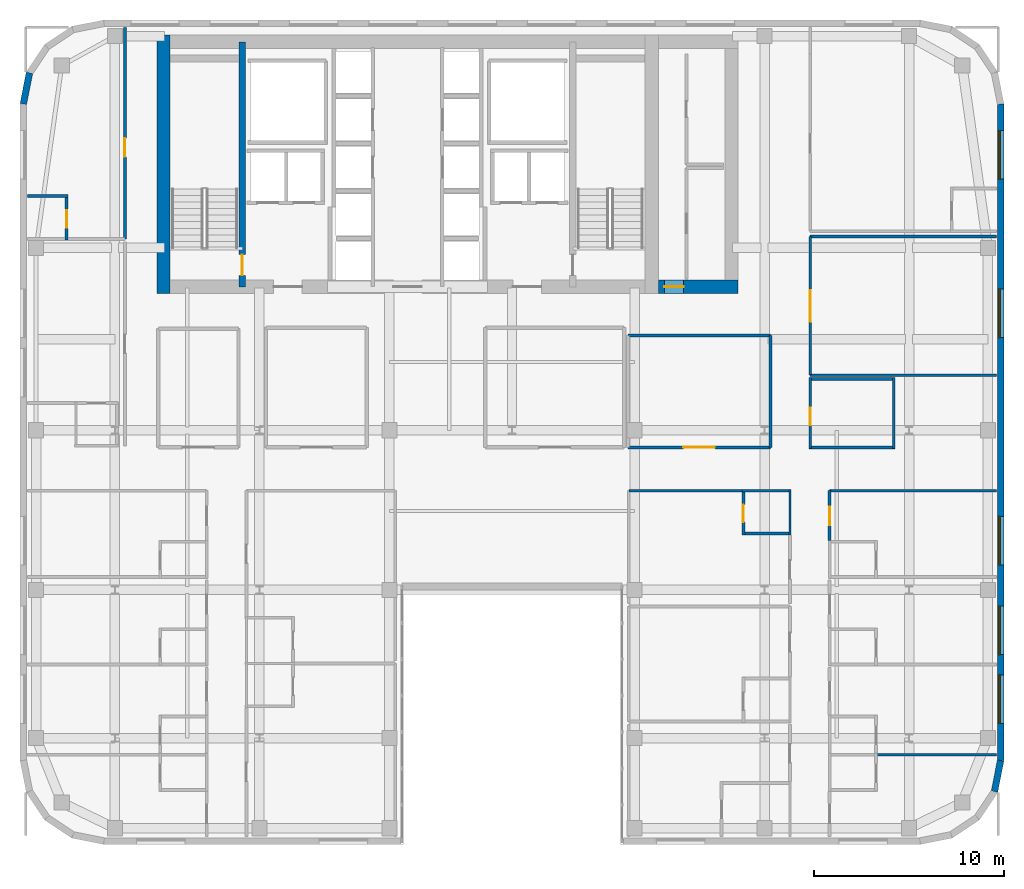
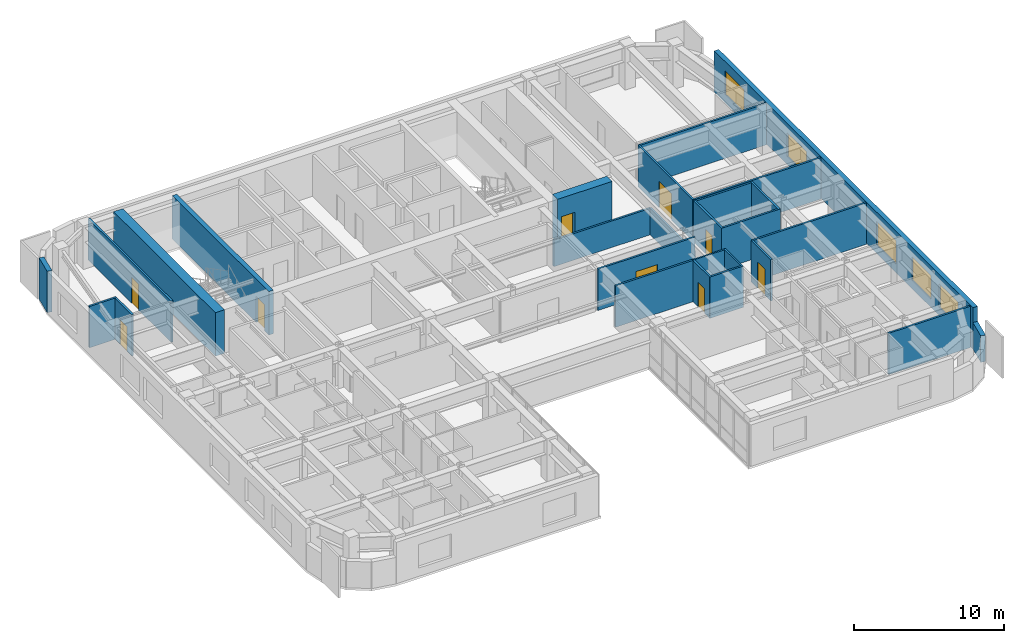
# One storey, part 10 of 14: 27 walls, 9 doors, 5 windows, 14 openings.
"""IFC4 building model written with IfcOpenShell, lengths in metres."""

from ifc_helpers import new_model, si_unit, direction, frame, frame_2d, origin, place, context, subcontext, project, spatial, rectangle, extrude, source, transform, mapped, material, layer, layer_set, type_object, type_shapes, element, fill, save


model = new_model("IFC4")

# Units and contexts
model_context = context("Model", 3, precision=1e-05, world=origin(), true_north=direction((0.0, 1.0)))
body_context = subcontext(model_context, "Body", "Model", "MODEL_VIEW")
ifc_project = project(units=[si_unit("LENGTHUNIT", "METRE"), si_unit("AREAUNIT", "SQUARE_METRE"), si_unit("VOLUMEUNIT", "CUBIC_METRE"), si_unit("PLANEANGLEUNIT", "RADIAN"), si_unit("MASSUNIT", "GRAM", prefix="KILO")], contexts=[model_context])

# Site, building, storey
site_placement = place(None, origin())
site = spatial("IfcSite", under=ifc_project, at=site_placement, CompositionType="ELEMENT")
building_placement = place(site_placement, origin())
building = spatial("IfcBuilding", under=site, at=building_placement, Name="Tolvann Quenvar Hotel", CompositionType="ELEMENT")
storey_placement = place(building_placement, frame((0.0, 0.0, 150.60009765625)))
storey = spatial("IfcBuildingStorey", under=building, at=storey_placement, Name="L39", CompositionType="ELEMENT", Elevation=150.60009765625)

# Wall
ifc_material_1 = material(Name="Concrete S65 (65 MPa)", Category="concrete")
ifc_layer_1 = layer(ifc_material_1, 0.699951171875)
ifc_layer_set_1 = layer_set([ifc_layer_1], Name="Concrete S65 (65 MPa)")
wall_type_1 = type_object("IfcWallType", Name="WALL_CORE_700", PredefinedType="SHEAR", material=ifc_layer_set_1)
wall_1_placement = place(storey_placement, frame((10.14990234375, 31.60009765625, 0.0), z_axis=(0.0, 0.0, 1.0), x_axis=(0.0, 1.0, 0.0)))
element("IfcWall", 1, at=wall_1_placement, inside=storey, type_object=wall_type_1, Name="Rear Core W Shear Wall (L39)", PredefinedType="SHEAR", context=body_context, shape_type="SweptSolid", body=[
    extrude(rectangle(XDim=13.599853515625, YDim=0.699951171875, at=frame_2d((6.7998046875, 0.0))), origin(), (0.0, 0.0, 1.0), 3.5498046875),
])

# Wall, opening, door
wall_2_placement = place(storey_placement, frame((36.199951171875, 31.949951171875, 0.0), z_axis=(0.0, 0.0, 1.0), x_axis=(1.0, 0.0, 0.0)))
wall_2 = element("IfcWall", 2, at=wall_2_placement, inside=storey, type_object=wall_type_1, Name="Core East Annex Shear Wall ANN-S (L39)", PredefinedType="SHEAR", context=body_context, shape_type="SweptSolid", body=[
    extrude(rectangle(XDim=4.199951171875, YDim=0.699951171875, at=frame_2d((2.10009765625, 0.0))), origin(), (0.0, 0.0, 1.0), 3.5498046875),
])
opening_1_placement = place(wall_2_placement, frame((1.340087890625, 0.0, 0.0), z_axis=(0.0, 0.0, 1.0), x_axis=(-1.0, 0.0, 0.0)))
opening_1 = element("IfcOpeningElement", 3, at=opening_1_placement, cuts=wall_2, Name="Opening HD-01", PredefinedType="OPENING", context=body_context, shape_type="SweptSolid", body=[
    extrude(rectangle(XDim=1.02001953125, YDim=2.030029296875, at=frame_2d((0.510009765625, 1.01513671875))), frame((0.0, 0.35986328125, 0.0), z_axis=(0.0, -1.0, 0.0), x_axis=(1.0, 0.0, 0.0)), (0.0, 0.0, 1.0), 0.719970703125),
])
ifc_material_2 = material(Name="Pressed galvanised steel fire-rated door set", Category="steel")
door_type_1 = type_object("IfcDoorType", Name="DOOR_BOH_1020", OperationType="NOTDEFINED", PredefinedType="DOOR", material=ifc_material_2)
shared_shape_1 = source(origin(), body_context, "Body", "SweptSolid", [
    extrude(rectangle(XDim=1.02001953125, YDim=2.030029296875, at=frame_2d((0.510009765625, 1.01513671875))), frame((0.0, 0.02490234375, 0.0), z_axis=(0.0, -1.0, 0.0), x_axis=(1.0, 0.0, 0.0)), (0.0, 0.0, 1.0), 0.050048828125),
])
type_shapes(door_type_1, [shared_shape_1])
door_1_placement = place(opening_1_placement, origin())
door_1 = element("IfcDoor", 4, at=door_1_placement, inside=storey, type_object=door_type_1, Name="Housekeeping Annex Fire Door (L39)", OperationType="SINGLE_SWING_RIGHT", OverallHeight=2.030029296875, OverallWidth=1.02001953125, PredefinedType="DOOR", context=body_context, shape_type="MappedRepresentation", body=[
    mapped(shared_shape_1, transform((0.0, 0.0, 0.0), x_axis=(1.0, 0.0, 0.0), y_axis=(0.0, 1.0, 0.0), z_axis=(0.0, 0.0, 1.0), scale=1.0)),
])
fill(opening_1, door_1)

ifc_layer_2 = layer(ifc_material_1, 0.35009765625)
ifc_layer_set_2 = layer_set([ifc_layer_2], Name="Concrete S65 (65 MPa)")
wall_type_2 = type_object("IfcWallType", Name="WALL_CORE_INT_350", PredefinedType="SHEAR", material=ifc_layer_set_2)
wall_3_placement = place(storey_placement, frame((14.300048828125, 31.949951171875, 0.0), z_axis=(0.0, 0.0, 1.0), x_axis=(0.0, 1.0, 0.0)))
wall_3 = element("IfcWall", 5, at=wall_3_placement, inside=storey, type_object=wall_type_2, Name="Core Internal Web Shear Wall WEB-W (L39)", PredefinedType="SHEAR", context=body_context, shape_type="SweptSolid", body=[
    extrude(rectangle(XDim=12.900146484375, YDim=0.35009765625, at=frame_2d((6.4501953125, 0.0))), origin(), (0.0, 0.0, 1.0), 3.5498046875),
])
opening_2_placement = place(wall_3_placement, frame((0.60009765625, 0.0, 0.0)))
opening_2 = element("IfcOpeningElement", 6, at=opening_2_placement, cuts=wall_3, Name="Opening FD-120", PredefinedType="OPENING", context=body_context, shape_type="SweptSolid", body=[
    extrude(rectangle(XDim=1.10009765625, YDim=2.1201171875, at=frame_2d((0.550048828125, 1.06005859375))), frame((0.0, 0.18505859375, 0.0), z_axis=(0.0, -1.0, 0.0), x_axis=(1.0, 0.0, 0.0)), (0.0, 0.0, 1.0), 0.3701171875),
])
door_type_2 = type_object("IfcDoorType", Name="DOOR_FIRE_STAIR_1100", OperationType="NOTDEFINED", PredefinedType="DOOR", material=ifc_material_2)
shared_shape_2 = source(origin(), body_context, "Body", "SweptSolid", [
    extrude(rectangle(XDim=1.10009765625, YDim=2.1201171875, at=frame_2d((0.550048828125, 1.06005859375))), frame((0.0, 0.02490234375, 0.0), z_axis=(0.0, -1.0, 0.0), x_axis=(1.0, 0.0, 0.0)), (0.0, 0.0, 1.0), 0.050048828125),
])
type_shapes(door_type_2, [shared_shape_2])
door_2_placement = place(opening_2_placement, origin())
door_2 = element("IfcDoor", 7, at=door_2_placement, inside=storey, type_object=door_type_2, Name="Exit Stair ST-C1 Fire Door (L39)", OperationType="SINGLE_SWING_RIGHT", OverallHeight=2.1201171875, OverallWidth=1.10009765625, PredefinedType="DOOR", context=body_context, shape_type="MappedRepresentation", body=[
    mapped(shared_shape_2, transform((0.0, 0.0, 0.0), x_axis=(1.0, 0.0, 0.0), y_axis=(0.0, 1.0, 0.0), z_axis=(0.0, 0.0, 1.0), scale=1.0)),
])
fill(opening_2, door_2)

# Wall
ifc_material_3 = material(Name="Kiln-fired red and buff architectural clay brickwork and terracotta masonry", Category="masonry")
ifc_layer_3 = layer(ifc_material_3, 0.35009765625)
ifc_layer_set_3 = layer_set([ifc_layer_3], Name="Kiln-fired red and buff architectural clay brickwork and terracotta masonry")
wall_type_3 = type_object("IfcWallType", Name="WALL_EXT_BRICK_350", PredefinedType="SOLIDWALL", material=ifc_layer_set_3)
wall_4_placement = place(storey_placement, frame((53.900390625, 5.384521484375, 0.0), z_axis=(0.0, 0.0, 1.0), x_axis=(0.195072403631, 0.980788844421, 0.0)))
element("IfcWall", 8, at=wall_4_placement, inside=storey, type_object=wall_type_3, Name="Exterior Chicago Brick Wall L39-E12", PredefinedType="SOLIDWALL", context=body_context, shape_type="SweptSolid", body=[
    extrude(rectangle(XDim=1.66455078125, YDim=0.35009765625, at=frame_2d((0.832275390625, 0.0))), origin(), (0.0, 0.0, 1.0), 2.159912109375),
])

# Wall, openings, windows
wall_5_placement = place(storey_placement, frame((54.22509765625, 7.01708984375, 0.0), z_axis=(0.0, 0.0, 1.0), x_axis=(0.0, 1.0, 0.0)))
wall_5 = element("IfcWall", 9, at=wall_5_placement, inside=storey, type_object=wall_type_3, Name="Exterior Chicago Brick Wall L39-E13", PredefinedType="SOLIDWALL", context=body_context, shape_type="SweptSolid", body=[
    extrude(rectangle(XDim=34.565673828125, YDim=0.35009765625, at=frame_2d((17.28271484375, 0.0))), origin(), (0.0, 0.0, 1.0), 3.369873046875),
])
opening_3_placement = place(wall_5_placement, frame((1.9599609375, 0.0, 0.679931640625)))
opening_3 = element("IfcOpeningElement", 10, at=opening_3_placement, cuts=wall_5, Name="Opening W-09", PredefinedType="OPENING", context=body_context, shape_type="SweptSolid", body=[
    extrude(rectangle(XDim=2.550048828125, YDim=1.919921875, at=frame_2d((1.27490234375, 0.9599609375))), frame((0.0, 0.18505859375, 0.0), z_axis=(0.0, -1.0, 0.0), x_axis=(1.0, 0.0, 0.0)), (0.0, 0.0, 1.0), 0.3701171875),
])
opening_4_placement = place(wall_5_placement, frame((5.5810546875, 0.0, 0.679931640625)))
opening_4 = element("IfcOpeningElement", 11, at=opening_4_placement, cuts=wall_5, Name="Opening W-09", PredefinedType="OPENING", context=body_context, shape_type="SweptSolid", body=[
    extrude(rectangle(XDim=2.550048828125, YDim=1.919921875, at=frame_2d((1.27490234375, 0.9599609375))), frame((0.0, 0.18505859375, 0.0), z_axis=(0.0, -1.0, 0.0), x_axis=(1.0, 0.0, 0.0)), (0.0, 0.0, 1.0), 0.3701171875),
])
opening_5_placement = place(wall_5_placement, frame((10.302001953125, 0.0, 0.679931640625)))
opening_5 = element("IfcOpeningElement", 12, at=opening_5_placement, cuts=wall_5, Name="Opening W-09", PredefinedType="OPENING", context=body_context, shape_type="SweptSolid", body=[
    extrude(rectangle(XDim=2.550048828125, YDim=1.919921875, at=frame_2d((1.27490234375, 0.9599609375))), frame((0.0, 0.18505859375, 0.0), z_axis=(0.0, -1.0, 0.0), x_axis=(1.0, 0.0, 0.0)), (0.0, 0.0, 1.0), 0.3701171875),
])
opening_6_placement = place(wall_5_placement, frame((22.263916015625, 0.0, 0.679931640625)))
opening_6 = element("IfcOpeningElement", 13, at=opening_6_placement, cuts=wall_5, Name="Opening W-09", PredefinedType="OPENING", context=body_context, shape_type="SweptSolid", body=[
    extrude(rectangle(XDim=2.550048828125, YDim=1.919921875, at=frame_2d((1.27490234375, 0.9599609375))), frame((0.0, 0.18505859375, 0.0), z_axis=(0.0, -1.0, 0.0), x_axis=(1.0, 0.0, 0.0)), (0.0, 0.0, 1.0), 0.3701171875),
])
opening_7_placement = place(wall_5_placement, frame((30.60498046875, 0.0, 0.679931640625)))
opening_7 = element("IfcOpeningElement", 14, at=opening_7_placement, cuts=wall_5, Name="Opening W-09", PredefinedType="OPENING", context=body_context, shape_type="SweptSolid", body=[
    extrude(rectangle(XDim=2.550048828125, YDim=1.919921875, at=frame_2d((1.27490234375, 0.9599609375))), frame((0.0, 0.18505859375, 0.0), z_axis=(0.0, -1.0, 0.0), x_axis=(1.0, 0.0, 0.0)), (0.0, 0.0, 1.0), 0.3701171875),
])
ifc_material_4 = material(Name="Thermally broken bronze-anodised aluminium frame with double low-E glazing", Category="aluminium")
window_type = type_object("IfcWindowType", Name="WIN_LNG_2550x1950", PartitioningType="TRIPLE_PANEL_HORIZONTAL", PredefinedType="WINDOW", material=ifc_material_4)
shared_shape_3 = source(origin(), body_context, "Body", "SweptSolid", [
    extrude(rectangle(XDim=2.550048828125, YDim=1.919921875, at=frame_2d((1.27490234375, 0.9599609375))), frame((0.0, 0.090087890625, 0.0), z_axis=(0.0, -1.0, 0.0), x_axis=(1.0, 0.0, 0.0)), (0.0, 0.0, 1.0), 0.06005859375),
])
type_shapes(window_type, [shared_shape_3])
window_1_placement = place(opening_3_placement, origin())
window_1 = element("IfcWindow", 15, at=window_1_placement, inside=storey, type_object=window_type, Name="Chicago Window W-09 (EW-L39-E13-W01)", OverallHeight=1.919921875, OverallWidth=2.550048828125, PartitioningType="TRIPLE_PANEL_HORIZONTAL", PredefinedType="WINDOW", context=body_context, shape_type="MappedRepresentation", body=[
    mapped(shared_shape_3, transform((0.0, 0.0, 0.0), x_axis=(1.0, 0.0, 0.0), y_axis=(0.0, 1.0, 0.0), z_axis=(0.0, 0.0, 1.0), scale=1.0)),
])
fill(opening_3, window_1)
window_2_placement = place(opening_4_placement, origin())
window_2 = element("IfcWindow", 16, at=window_2_placement, inside=storey, type_object=window_type, Name="Chicago Window W-09 (EW-L39-E13-W02)", OverallHeight=1.919921875, OverallWidth=2.550048828125, PartitioningType="TRIPLE_PANEL_HORIZONTAL", PredefinedType="WINDOW", context=body_context, shape_type="MappedRepresentation", body=[
    mapped(shared_shape_3, transform((0.0, 0.0, 0.0), x_axis=(1.0, 0.0, 0.0), y_axis=(0.0, 1.0, 0.0), z_axis=(0.0, 0.0, 1.0), scale=1.0)),
])
fill(opening_4, window_2)
window_3_placement = place(opening_5_placement, origin())
window_3 = element("IfcWindow", 17, at=window_3_placement, inside=storey, type_object=window_type, Name="Chicago Window W-09 (EW-L39-E13-W03)", OverallHeight=1.919921875, OverallWidth=2.550048828125, PartitioningType="TRIPLE_PANEL_HORIZONTAL", PredefinedType="WINDOW", context=body_context, shape_type="MappedRepresentation", body=[
    mapped(shared_shape_3, transform((0.0, 0.0, 0.0), x_axis=(1.0, 0.0, 0.0), y_axis=(0.0, 1.0, 0.0), z_axis=(0.0, 0.0, 1.0), scale=1.0)),
])
fill(opening_5, window_3)
window_4_placement = place(opening_6_placement, origin())
window_4 = element("IfcWindow", 18, at=window_4_placement, inside=storey, type_object=window_type, Name="Chicago Window W-09 (EW-L39-E13-W04)", OverallHeight=1.919921875, OverallWidth=2.550048828125, PartitioningType="TRIPLE_PANEL_HORIZONTAL", PredefinedType="WINDOW", context=body_context, shape_type="MappedRepresentation", body=[
    mapped(shared_shape_3, transform((0.0, 0.0, 0.0), x_axis=(1.0, 0.0, 0.0), y_axis=(0.0, 1.0, 0.0), z_axis=(0.0, 0.0, 1.0), scale=1.0)),
])
fill(opening_6, window_4)
window_5_placement = place(opening_7_placement, origin())
window_5 = element("IfcWindow", 19, at=window_5_placement, inside=storey, type_object=window_type, Name="Chicago Window W-09 (EW-L39-E13-W05)", OverallHeight=1.919921875, OverallWidth=2.550048828125, PartitioningType="TRIPLE_PANEL_HORIZONTAL", PredefinedType="WINDOW", context=body_context, shape_type="MappedRepresentation", body=[
    mapped(shared_shape_3, transform((0.0, 0.0, 0.0), x_axis=(1.0, 0.0, 0.0), y_axis=(0.0, 1.0, 0.0), z_axis=(0.0, 0.0, 1.0), scale=1.0)),
])
fill(opening_7, window_5)

# Walls
wall_6_placement = place(storey_placement, frame((3.099609375, 43.215576171875, 0.0), z_axis=(0.0, 0.0, 1.0), x_axis=(-0.195044345786, -0.980794424524, 0.0)))
element("IfcWall", 20, at=wall_6_placement, inside=storey, type_object=wall_type_3, Name="Exterior Chicago Brick Wall L39-E22", PredefinedType="SOLIDWALL", context=body_context, shape_type="SweptSolid", body=[
    extrude(rectangle(XDim=1.664794921875, YDim=0.35009765625, at=frame_2d((0.83251953125, 0.0))), origin(), (0.0, 0.0, 1.0), 3.369873046875),
])
ifc_material_5 = material(Name="Moisture-resistant acoustic plumbing wall assembly")
ifc_layer_4 = layer(ifc_material_5, 0.1201171875)
ifc_layer_set_4 = layer_set([ifc_layer_4], Name="Moisture-resistant acoustic plumbing wall assembly")
wall_type_4 = type_object("IfcWallType", Name="WALL_PART_BATH_120", PredefinedType="PLUMBINGWALL", material=ifc_layer_set_4)
wall_7_placement = place(storey_placement, frame((40.610107421875, 21.219970703125, 0.0), z_axis=(0.0, 0.0, 1.0), x_axis=(1.0, 0.0, 0.0)))
element("IfcWall", 21, at=wall_7_placement, inside=storey, type_object=wall_type_4, Name="Non-Rated Plumbing Partition PT-SPC-L39-ENS-EI03-N", PredefinedType="PLUMBINGWALL", context=body_context, shape_type="SweptSolid", body=[
    extrude(rectangle(XDim=2.58984375, YDim=0.1201171875, at=frame_2d((1.294921875, 0.0))), origin(), (0.0, 0.0, 1.0), 3.369873046875),
])
wall_8_placement = place(storey_placement, frame((43.1298828125, 18.89990234375, 0.0), z_axis=(0.0, 0.0, 1.0), x_axis=(0.0, 1.0, 0.0)))
element("IfcWall", 22, at=wall_8_placement, inside=storey, type_object=wall_type_4, Name="Non-Rated Plumbing Partition PT-SPC-L39-ENS-EI03-E", PredefinedType="PLUMBINGWALL", context=body_context, shape_type="SweptSolid", body=[
    extrude(rectangle(XDim=2.39013671875, YDim=0.1201171875, at=frame_2d((1.195068359375, 0.0))), origin(), (0.0, 0.0, 1.0), 3.369873046875),
])

# Wall, opening, door
ifc_material_6 = material(Name="Acoustic twin-stud fire-rated gypsum plasterboard partition")
ifc_layer_5 = layer(ifc_material_6, 0.14990234375)
ifc_layer_set_5 = layer_set([ifc_layer_5], Name="Acoustic twin-stud fire-rated gypsum plasterboard partition")
wall_type_5 = type_object("IfcWallType", Name="WALL_PART_SUITE_150", PredefinedType="PARTITIONING", material=ifc_layer_set_5)
wall_9_placement = place(storey_placement, frame((40.679931640625, 18.89990234375, 0.0), z_axis=(0.0, 0.0, 1.0), x_axis=(0.0, 1.0, 0.0)))
wall_9 = element("IfcWall", 23, at=wall_9_placement, inside=storey, type_object=wall_type_5, Name="Interior Partition PT-SPC-L39-ENS-EI03-ENT", PredefinedType="PARTITIONING", context=body_context, shape_type="SweptSolid", body=[
    extrude(rectangle(XDim=2.39013671875, YDim=0.14990234375, at=frame_2d((1.195068359375, 0.0))), origin(), (0.0, 0.0, 1.0), 3.369873046875),
])
opening_8_placement = place(wall_9_placement, frame((0.6650390625, 0.0, 0.0)))
opening_8 = element("IfcOpeningElement", 24, at=opening_8_placement, cuts=wall_9, Name="Opening WD-01", PredefinedType="OPENING", context=body_context, shape_type="SweptSolid", body=[
    extrude(rectangle(XDim=0.919921875, YDim=2.010009765625, at=frame_2d((0.4599609375, 1.0048828125))), frame((0.0, 0.0849609375, 0.0), z_axis=(0.0, -1.0, 0.0), x_axis=(1.0, 0.0, 0.0)), (0.0, 0.0, 1.0), 0.169921875),
])
ifc_material_7 = material(Name="Solid-core American oak acoustic fire door leaf in steel frame", Category="steel")
door_type_3 = type_object("IfcDoorType", Name="DOOR_WC_920", OperationType="NOTDEFINED", PredefinedType="DOOR", material=ifc_material_7)
shared_shape_4 = source(origin(), body_context, "Body", "SweptSolid", [
    extrude(rectangle(XDim=0.919921875, YDim=2.010009765625, at=frame_2d((0.4599609375, 1.0048828125))), frame((0.0, 0.02490234375, 0.0), z_axis=(0.0, -1.0, 0.0), x_axis=(1.0, 0.0, 0.0)), (0.0, 0.0, 1.0), 0.050048828125),
])
type_shapes(door_type_3, [shared_shape_4])
door_3_placement = place(opening_8_placement, origin())
door_3 = element("IfcDoor", 25, at=door_3_placement, inside=storey, type_object=door_type_3, Name="Interior Door DOOR-SPC-L39-ENS-EI03", OperationType="SINGLE_SWING_RIGHT", OverallHeight=2.010009765625, OverallWidth=0.919921875, PredefinedType="DOOR", context=body_context, shape_type="MappedRepresentation", body=[
    mapped(shared_shape_4, transform((0.0, 0.0, 0.0), x_axis=(1.0, 0.0, 0.0), y_axis=(0.0, 1.0, 0.0), z_axis=(0.0, 0.0, 1.0), scale=1.0)),
])
fill(opening_8, door_3)

# Wall
wall_10_placement = place(storey_placement, frame((40.610107421875, 18.969970703125, 0.0), z_axis=(0.0, 0.0, 1.0), x_axis=(1.0, 0.0, 0.0)))
element("IfcWall", 26, at=wall_10_placement, inside=storey, type_object=wall_type_5, Name="Interior Partition PT-SPC-L39-ENS-EI03-S", PredefinedType="PARTITIONING", context=body_context, shape_type="SweptSolid", body=[
    extrude(rectangle(XDim=2.58984375, YDim=0.14990234375, at=frame_2d((1.294921875, 0.0))), origin(), (0.0, 0.0, 1.0), 3.369873046875),
])

# Wall, opening, door
wall_11_placement = place(storey_placement, frame((5.050048828125, 34.409912109375, 0.0), z_axis=(0.0, 0.0, 1.0), x_axis=(0.0, 1.0, 0.0)))
wall_11 = element("IfcWall", 27, at=wall_11_placement, inside=storey, type_object=wall_type_5, Name="Interior Partition PT-SPC-L39-ENS-NW02-ENT", PredefinedType="PARTITIONING", context=body_context, shape_type="SweptSolid", body=[
    extrude(rectangle(XDim=2.39013671875, YDim=0.14990234375, at=frame_2d((1.195068359375, 0.0))), origin(), (0.0, 0.0, 1.0), 3.369873046875),
])
opening_9_placement = place(wall_11_placement, frame((0.6650390625, 0.0, 0.0)))
opening_9 = element("IfcOpeningElement", 28, at=opening_9_placement, cuts=wall_11, Name="Opening WD-01", PredefinedType="OPENING", context=body_context, shape_type="SweptSolid", body=[
    extrude(rectangle(XDim=0.919921875, YDim=2.010009765625, at=frame_2d((0.4599609375, 1.0048828125))), frame((0.0, 0.0849609375, 0.0), z_axis=(0.0, -1.0, 0.0), x_axis=(1.0, 0.0, 0.0)), (0.0, 0.0, 1.0), 0.169921875),
])
door_4_placement = place(opening_9_placement, origin())
door_4 = element("IfcDoor", 29, at=door_4_placement, inside=storey, type_object=door_type_3, Name="Interior Door DOOR-SPC-L39-ENS-NW02", OperationType="SINGLE_SWING_RIGHT", OverallHeight=2.010009765625, OverallWidth=0.919921875, PredefinedType="DOOR", context=body_context, shape_type="MappedRepresentation", body=[
    mapped(shared_shape_4, transform((0.0, 0.0, 0.0), x_axis=(1.0, 0.0, 0.0), y_axis=(0.0, 1.0, 0.0), z_axis=(0.0, 0.0, 1.0), scale=1.0)),
])
fill(opening_9, door_4)

# Walls
wall_12_placement = place(storey_placement, frame((3.0048828125, 36.72998046875, 0.0), z_axis=(0.0, 0.0, 1.0), x_axis=(1.0, 0.0, 0.0)))
element("IfcWall", 30, at=wall_12_placement, inside=storey, type_object=wall_type_5, Name="Interior Partition PT-SPC-L39-ENS-NW02-N", PredefinedType="PARTITIONING", context=body_context, shape_type="SweptSolid", body=[
    extrude(rectangle(XDim=2.115234375, YDim=0.14990234375, at=frame_2d((1.0576171875, 0.0))), origin(), (0.0, 0.0, 1.0), 3.369873046875),
])
wall_13_placement = place(storey_placement, frame((34.64990234375, 21.219970703125, 0.0), z_axis=(0.0, 0.0, 1.0), x_axis=(1.0, 0.0, 0.0)))
element("IfcWall", 31, at=wall_13_placement, inside=storey, type_object=wall_type_5, Name="Interior Partition PT-SPC-L39-RM-EI03-E5", PredefinedType="PARTITIONING", context=body_context, shape_type="SweptSolid", body=[
    extrude(rectangle(XDim=6.010009765625, YDim=0.14990234375, at=frame_2d((3.0048828125, 0.0))), origin(), (0.0, 0.0, 1.0), 3.369873046875),
])
wall_14_placement = place(storey_placement, frame((47.68994140625, 7.320068359375, 0.0), z_axis=(0.0, 0.0, 1.0), x_axis=(1.0, 0.0, 0.0)))
element("IfcWall", 32, at=wall_14_placement, inside=storey, type_object=wall_type_5, Name="Interior Partition PT-SPC-L39-RM-EO01-E3", PredefinedType="PARTITIONING", context=body_context, shape_type="SweptSolid", body=[
    extrude(rectangle(XDim=6.30517578125, YDim=0.14990234375, at=frame_2d((3.152587890625, 0.0))), origin(), (0.0, 0.0, 1.0), 3.369873046875),
])

# Wall, opening, door
wall_15_placement = place(storey_placement, frame((45.219970703125, 18.610107421875, 0.0), z_axis=(0.0, 0.0, 1.0), x_axis=(0.0, 1.0, 0.0)))
wall_15 = element("IfcWall", 33, at=wall_15_placement, inside=storey, type_object=wall_type_5, Name="Interior Partition PT-SPC-L39-RM-EO04-ENT", PredefinedType="PARTITIONING", context=body_context, shape_type="SweptSolid", body=[
    extrude(rectangle(XDim=2.60986328125, YDim=0.14990234375, at=frame_2d((1.304931640625, 0.0))), origin(), (0.0, 0.0, 1.0), 3.369873046875),
])
opening_10_placement = place(wall_15_placement, frame((0.794921875, 0.0, 0.0)))
opening_10 = element("IfcOpeningElement", 34, at=opening_10_placement, cuts=wall_15, Name="Opening SD-01", PredefinedType="OPENING", context=body_context, shape_type="SweptSolid", body=[
    extrude(rectangle(XDim=0.97998046875, YDim=2.1201171875, at=frame_2d((0.489990234375, 1.06005859375))), frame((0.0, 0.0849609375, 0.0), z_axis=(0.0, -1.0, 0.0), x_axis=(1.0, 0.0, 0.0)), (0.0, 0.0, 1.0), 0.169921875),
])
door_type_4 = type_object("IfcDoorType", Name="DOOR_SUITE_980", OperationType="NOTDEFINED", PredefinedType="DOOR", material=ifc_material_7)
shared_shape_5 = source(origin(), body_context, "Body", "SweptSolid", [
    extrude(rectangle(XDim=0.97998046875, YDim=2.1201171875, at=frame_2d((0.489990234375, 1.06005859375))), frame((0.0, 0.02490234375, 0.0), z_axis=(0.0, -1.0, 0.0), x_axis=(1.0, 0.0, 0.0)), (0.0, 0.0, 1.0), 0.050048828125),
])
type_shapes(door_type_4, [shared_shape_5])
door_5_placement = place(opening_10_placement, origin())
door_5 = element("IfcDoor", 35, at=door_5_placement, inside=storey, type_object=door_type_4, Name="Interior Door DOOR-SPC-L39-RM-EO04", OperationType="SINGLE_SWING_RIGHT", OverallHeight=2.1201171875, OverallWidth=0.97998046875, PredefinedType="DOOR", context=body_context, shape_type="MappedRepresentation", body=[
    mapped(shared_shape_5, transform((0.0, 0.0, 0.0), x_axis=(1.0, 0.0, 0.0), y_axis=(0.0, 1.0, 0.0), z_axis=(0.0, 0.0, 1.0), scale=1.0)),
])
fill(opening_10, door_5)

# Wall
wall_16_placement = place(storey_placement, frame((45.219970703125, 21.219970703125, 0.0), z_axis=(0.0, 0.0, 1.0), x_axis=(1.0, 0.0, 0.0)))
element("IfcWall", 36, at=wall_16_placement, inside=storey, type_object=wall_type_5, Name="Interior Partition PT-SPC-L39-RM-EO04-E5", PredefinedType="PARTITIONING", context=body_context, shape_type="SweptSolid", body=[
    extrude(rectangle(XDim=8.775146484375, YDim=0.14990234375, at=frame_2d((4.3876953125, 0.0))), origin(), (0.0, 0.0, 1.0), 3.369873046875),
])

# Wall, opening, door
wall_17_placement = place(storey_placement, frame((8.1201171875, 34.47998046875, 0.0), z_axis=(0.0, 0.0, 1.0), x_axis=(0.0, 1.0, 0.0)))
wall_17 = element("IfcWall", 37, at=wall_17_placement, inside=storey, type_object=wall_type_5, Name="Interior Partition PT-SPC-L39-RM-NW02-ENT", PredefinedType="PARTITIONING", context=body_context, shape_type="SweptSolid", body=[
    extrude(rectangle(XDim=11.114990234375, YDim=0.14990234375, at=frame_2d((5.5576171875, 0.0))), origin(), (0.0, 0.0, 1.0), 3.369873046875),
])
opening_11_placement = place(wall_17_placement, frame((4.320068359375, 0.0, 0.0)))
opening_11 = element("IfcOpeningElement", 38, at=opening_11_placement, cuts=wall_17, Name="Opening SD-01", PredefinedType="OPENING", context=body_context, shape_type="SweptSolid", body=[
    extrude(rectangle(XDim=0.97998046875, YDim=2.1201171875, at=frame_2d((0.489990234375, 1.06005859375))), frame((0.0, 0.0849609375, 0.0), z_axis=(0.0, -1.0, 0.0), x_axis=(1.0, 0.0, 0.0)), (0.0, 0.0, 1.0), 0.169921875),
])
door_6_placement = place(opening_11_placement, origin())
door_6 = element("IfcDoor", 39, at=door_6_placement, inside=storey, type_object=door_type_4, Name="Interior Door DOOR-SPC-L39-RM-NW02", OperationType="SINGLE_SWING_RIGHT", OverallHeight=2.1201171875, OverallWidth=0.97998046875, PredefinedType="DOOR", context=body_context, shape_type="MappedRepresentation", body=[
    mapped(shared_shape_5, transform((0.0, 0.0, 0.0), x_axis=(1.0, 0.0, 0.0), y_axis=(0.0, 1.0, 0.0), z_axis=(0.0, 0.0, 1.0), scale=1.0)),
])
fill(opening_11, door_6)

wall_18_placement = place(storey_placement, frame((44.199951171875, 23.429931640625, 0.0), z_axis=(0.0, 0.0, 1.0), x_axis=(0.0, 1.0, 0.0)))
wall_18 = element("IfcWall", 40, at=wall_18_placement, inside=storey, type_object=wall_type_5, Name="Interior Partition PT-SPC-L39-WCA-ENT", PredefinedType="PARTITIONING", context=body_context, shape_type="SweptSolid", body=[
    extrude(rectangle(XDim=3.739990234375, YDim=0.14990234375, at=frame_2d((1.8701171875, 0.0))), origin(), (0.0, 0.0, 1.0), 3.369873046875),
])
opening_12_placement = place(wall_18_placement, frame((1.239990234375, 0.0, 0.0)))
opening_12 = element("IfcOpeningElement", 41, at=opening_12_placement, cuts=wall_18, Name="Opening WD-01", PredefinedType="OPENING", context=body_context, shape_type="SweptSolid", body=[
    extrude(rectangle(XDim=0.919921875, YDim=2.010009765625, at=frame_2d((0.4599609375, 1.0048828125))), frame((0.0, 0.0849609375, 0.0), z_axis=(0.0, -1.0, 0.0), x_axis=(1.0, 0.0, 0.0)), (0.0, 0.0, 1.0), 0.169921875),
])
door_7_placement = place(opening_12_placement, origin())
door_7 = element("IfcDoor", 42, at=door_7_placement, inside=storey, type_object=door_type_3, Name="Interior Door DOOR-SPC-L39-WCA", OperationType="SINGLE_SWING_LEFT", OverallHeight=2.010009765625, OverallWidth=0.919921875, PredefinedType="DOOR", context=body_context, shape_type="MappedRepresentation", body=[
    mapped(shared_shape_4, transform((0.0, 0.0, 0.0), x_axis=(1.0, 0.0, 0.0), y_axis=(0.0, 1.0, 0.0), z_axis=(0.0, 0.0, 1.0), scale=1.0)),
])
fill(opening_12, door_7)

# Walls
for number, where, z_axis, x_axis, name in (
    (43, (44.1298828125, 23.5, 0.0), (0.0, 0.0, 1.0), (1.0, 0.0, 0.0), "Interior Partition PT-SPC-L39-WCA-S"),
    (44, (44.1298828125, 27.10009765625, 0.0), (0.0, 0.0, 1.0), (1.0, 0.0, 0.0), "Interior Partition PT-SPC-L39-WCA-N"),
):
    element("IfcWall", number, at=place(storey_placement, frame(where, z_axis=z_axis, x_axis=x_axis)), inside=storey, type_object=wall_type_5, Name=name, PredefinedType="PARTITIONING", context=body_context, shape_type="SweptSolid", body=[
        extrude(rectangle(XDim=4.5400390625, YDim=0.14990234375, at=frame_2d((2.27001953125, 0.0))), origin(), (0.0, 0.0, 1.0), 3.369873046875),
    ])
wall_19_placement = place(storey_placement, frame((48.60009765625, 23.429931640625, 0.0), z_axis=(0.0, 0.0, 1.0), x_axis=(0.0, 1.0, 0.0)))
element("IfcWall", 45, at=wall_19_placement, inside=storey, type_object=wall_type_5, Name="Interior Partition PT-SPC-L39-WCA-E", PredefinedType="PARTITIONING", context=body_context, shape_type="SweptSolid", body=[
    extrude(rectangle(XDim=3.739990234375, YDim=0.14990234375, at=frame_2d((1.8701171875, 0.0))), origin(), (0.0, 0.0, 1.0), 3.369873046875),
])
for number, where, z_axis, x_axis, name in (
    (46, (44.199951171875, 27.300048828125, 0.0), (0.0, 0.0, 1.0), (1.0, 0.0, 0.0), "Interior Partition PT-SPC-L39-SPA-S"),
    (47, (44.199951171875, 34.60009765625, 0.0), (0.0, 0.0, 1.0), (1.0, 0.0, 0.0), "Interior Partition PT-SPC-L39-SPA-N"),
):
    element("IfcWall", number, at=place(storey_placement, frame(where, z_axis=z_axis, x_axis=x_axis)), inside=storey, type_object=wall_type_5, Name=name, PredefinedType="PARTITIONING", context=body_context, shape_type="SweptSolid", body=[
        extrude(rectangle(XDim=9.795166015625, YDim=0.14990234375, at=frame_2d((4.8974609375, 0.0))), origin(), (0.0, 0.0, 1.0), 3.369873046875),
    ])

# Wall, opening, door
wall_20_placement = place(storey_placement, frame((44.199951171875, 27.300048828125, 0.0), z_axis=(0.0, 0.0, 1.0), x_axis=(0.0, 1.0, 0.0)))
wall_20 = element("IfcWall", 48, at=wall_20_placement, inside=storey, type_object=wall_type_5, Name="Interior Partition PT-SPC-L39-SPA-W", PredefinedType="PARTITIONING", context=body_context, shape_type="SweptSolid", body=[
    extrude(rectangle(XDim=7.300048828125, YDim=0.14990234375, at=frame_2d((3.64990234375, 0.0))), origin(), (0.0, 0.0, 1.0), 3.369873046875),
])
opening_13_placement = place(wall_20_placement, frame((2.824951171875, 0.0, 0.0)))
opening_13 = element("IfcOpeningElement", 49, at=opening_13_placement, cuts=wall_20, Name="Opening AD-01", PredefinedType="OPENING", context=body_context, shape_type="SweptSolid", body=[
    extrude(rectangle(XDim=1.64990234375, YDim=2.14990234375, at=frame_2d((0.824951171875, 1.074951171875))), frame((0.0, 0.0849609375, 0.0), z_axis=(0.0, -1.0, 0.0), x_axis=(1.0, 0.0, 0.0)), (0.0, 0.0, 1.0), 0.169921875),
])
door_type_5 = type_object("IfcDoorType", Name="DOOR_SALON_1650", OperationType="NOTDEFINED", PredefinedType="DOOR", material=ifc_material_7)
shared_shape_6 = source(origin(), body_context, "Body", "SweptSolid", [
    extrude(rectangle(XDim=1.64990234375, YDim=2.14990234375, at=frame_2d((0.824951171875, 1.074951171875))), frame((0.0, 0.02490234375, 0.0), z_axis=(0.0, -1.0, 0.0), x_axis=(1.0, 0.0, 0.0)), (0.0, 0.0, 1.0), 0.050048828125),
])
type_shapes(door_type_5, [shared_shape_6])
door_8_placement = place(opening_13_placement, origin())
door_8 = element("IfcDoor", 50, at=door_8_placement, inside=storey, type_object=door_type_5, Name="Interior Door DOOR-SPC-L39-SPA", OperationType="DOUBLE_DOOR_SINGLE_SWING", OverallHeight=2.14990234375, OverallWidth=1.64990234375, PredefinedType="DOOR", context=body_context, shape_type="MappedRepresentation", body=[
    mapped(shared_shape_6, transform((0.0, 0.0, 0.0), x_axis=(1.0, 0.0, 0.0), y_axis=(0.0, 1.0, 0.0), z_axis=(0.0, 0.0, 1.0), scale=1.0)),
])
fill(opening_13, door_8)

wall_21_placement = place(storey_placement, frame((34.60009765625, 23.5, 0.0), z_axis=(0.0, 0.0, 1.0), x_axis=(1.0, 0.0, 0.0)))
wall_21 = element("IfcWall", 51, at=wall_21_placement, inside=storey, type_object=wall_type_5, Name="Interior Partition PT-SPC-L39-MSP-E-S", PredefinedType="PARTITIONING", context=body_context, shape_type="SweptSolid", body=[
    extrude(rectangle(XDim=7.5, YDim=0.14990234375, at=frame_2d((3.75, 0.0))), origin(), (0.0, 0.0, 1.0), 3.369873046875),
])
opening_14_placement = place(wall_21_placement, frame((2.925048828125, 0.0, 0.0)))
opening_14 = element("IfcOpeningElement", 52, at=opening_14_placement, cuts=wall_21, Name="Opening AD-01", PredefinedType="OPENING", context=body_context, shape_type="SweptSolid", body=[
    extrude(rectangle(XDim=1.64990234375, YDim=2.14990234375, at=frame_2d((0.824951171875, 1.074951171875))), frame((0.0, 0.0849609375, 0.0), z_axis=(0.0, -1.0, 0.0), x_axis=(1.0, 0.0, 0.0)), (0.0, 0.0, 1.0), 0.169921875),
])
door_9_placement = place(opening_14_placement, origin())
door_9 = element("IfcDoor", 53, at=door_9_placement, inside=storey, type_object=door_type_5, Name="Interior Door DOOR-SPC-L39-MSP-E", OperationType="DOUBLE_DOOR_SINGLE_SWING", OverallHeight=2.14990234375, OverallWidth=1.64990234375, PredefinedType="DOOR", context=body_context, shape_type="MappedRepresentation", body=[
    mapped(shared_shape_6, transform((0.0, 0.0, 0.0), x_axis=(1.0, 0.0, 0.0), y_axis=(0.0, 1.0, 0.0), z_axis=(0.0, 0.0, 1.0), scale=1.0)),
])
fill(opening_14, door_9)

# Walls
wall_22_placement = place(storey_placement, frame((34.60009765625, 29.39990234375, 0.0), z_axis=(0.0, 0.0, 1.0), x_axis=(1.0, 0.0, 0.0)))
element("IfcWall", 54, at=wall_22_placement, inside=storey, type_object=wall_type_5, Name="Interior Partition PT-SPC-L39-MSP-E-N", PredefinedType="PARTITIONING", context=body_context, shape_type="SweptSolid", body=[
    extrude(rectangle(XDim=7.5, YDim=0.14990234375, at=frame_2d((3.75, 0.0))), origin(), (0.0, 0.0, 1.0), 2.159912109375),
])
wall_23_placement = place(storey_placement, frame((42.10009765625, 23.5, 0.0), z_axis=(0.0, 0.0, 1.0), x_axis=(0.0, 1.0, 0.0)))
element("IfcWall", 55, at=wall_23_placement, inside=storey, type_object=wall_type_5, Name="Interior Partition PT-SPC-L39-MSP-E-E", PredefinedType="PARTITIONING", context=body_context, shape_type="SweptSolid", body=[
    extrude(rectangle(XDim=5.89990234375, YDim=0.14990234375, at=frame_2d((2.949951171875, 0.0))), origin(), (0.0, 0.0, 1.0), 2.159912109375),
])

save(model, "model.ifc")
